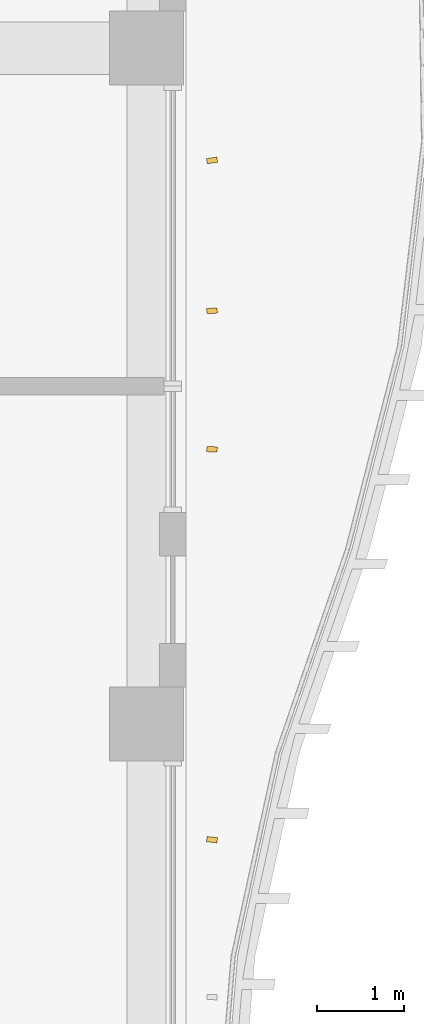
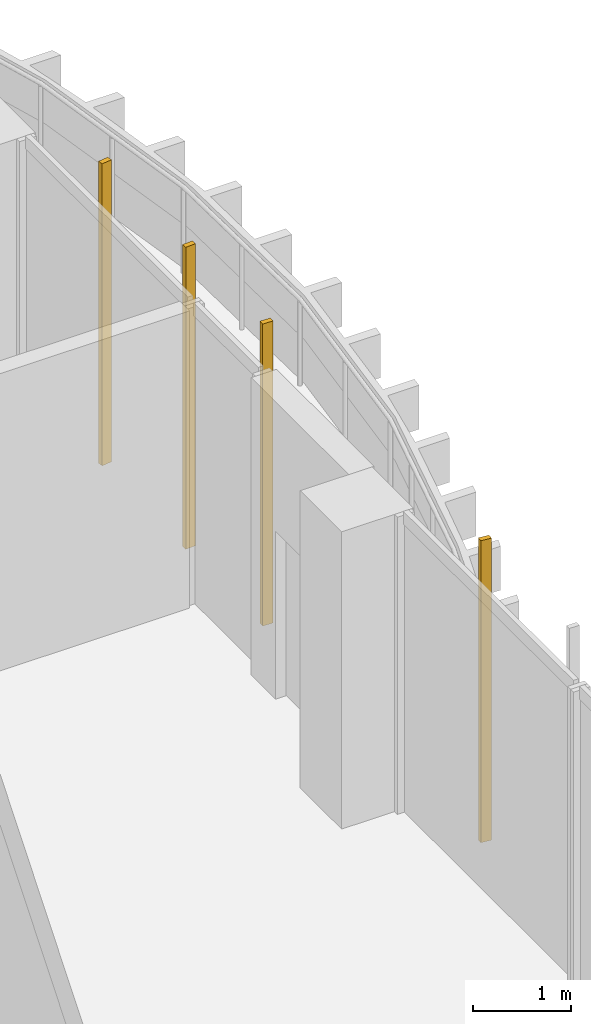
# One storey, part 23 of 27: 4 shading devices.
"""IFC4 building model written with IfcOpenShell, lengths in metres."""

from ifc_helpers import new_model, si_unit, direction, frame, origin, origin_2d, place, context, subcontext, project, spatial, rectangle, extrude, source, transform, mapped, material, material_profile, profile_set, type_object, element, save


model = new_model("IFC4")

# Units and contexts
model_context = context("Model", 3, precision=1e-05, world=origin(), true_north=direction((0.0, 1.0)))
body_context = subcontext(model_context, "Body", "Model", "MODEL_VIEW")
ifc_project = project(units=[si_unit("LENGTHUNIT", "METRE"), si_unit("AREAUNIT", "SQUARE_METRE"), si_unit("VOLUMEUNIT", "CUBIC_METRE"), si_unit("PLANEANGLEUNIT", "RADIAN"), si_unit("MASSUNIT", "GRAM", prefix="KILO")], contexts=[model_context])

# Site, building, storey
site_placement = place(None, origin())
site = spatial("IfcSite", under=ifc_project, at=site_placement, CompositionType="ELEMENT")
building_placement = place(site_placement, origin())
building = spatial("IfcBuilding", under=site, at=building_placement, Name="Kilnfold Tower and Market Hall", CompositionType="ELEMENT")
storey_placement = place(building_placement, frame((0.0, 0.0, 116.60009765625)))
storey = spatial("IfcBuildingStorey", under=building, at=storey_placement, Name="L27", CompositionType="ELEMENT", Elevation=116.60009765625)

# Shading devices
ifc_material = material(Name="Terracotta", Category="masonry")
ifc_material_profile = material_profile(ifc_material, rectangle(XDim=0.06005859375, YDim=0.1201171875, at=origin_2d()), Name="BAG 60x120")
ifc_profile_set = profile_set([ifc_material_profile], Name="Terracotta")
shading_device_type = type_object("IfcShadingDeviceType", Name="BAGUETTE", PredefinedType="USERDEFINED", material=ifc_profile_set)
shared_shape = source(origin(), body_context, "Body", "SweptSolid", [
    extrude(rectangle(XDim=0.06005859375, YDim=0.1201171875, at=origin_2d()), origin(), (0.0, 0.0, 1.0), 3.77978515625),
])
for number, where, z_axis, x_axis, name in (
    (1, (33.300048828125, -8.82763671875, 0.0), (0.0, 0.0, 1.0), (0.103302931906, 0.994649940562, 0.0), "Terracotta baguette L27 E"),
    (2, (33.300048828125, -4.35009765625, 0.0), (0.0, 0.0, 1.0), (0.040879924269, 0.999164066503, 0.0), "Terracotta baguette L27 E"),
    (3, (33.300048828125, -2.762451171875, 0.0), (0.0, 0.0, 1.0), (-0.056298973149, 0.998413955042, 0.0), "Terracotta baguette L27 E"),
    (4, (33.300048828125, -1.03759765625, 0.0), (0.0, 0.0, 1.0), (-0.129233474557, 0.991614193653, 0.0), "Terracotta baguette L27 E"),
):
    element("IfcShadingDevice", number, at=place(storey_placement, frame(where, z_axis=z_axis, x_axis=x_axis)), inside=storey, type_object=shading_device_type, Name=name, ObjectType="BAGUETTE", PredefinedType="USERDEFINED", context=body_context, shape_type="MappedRepresentation", body=[
        mapped(shared_shape, transform((0.0, 0.0, 0.0))),
    ])

save(model, "model.ifc")
